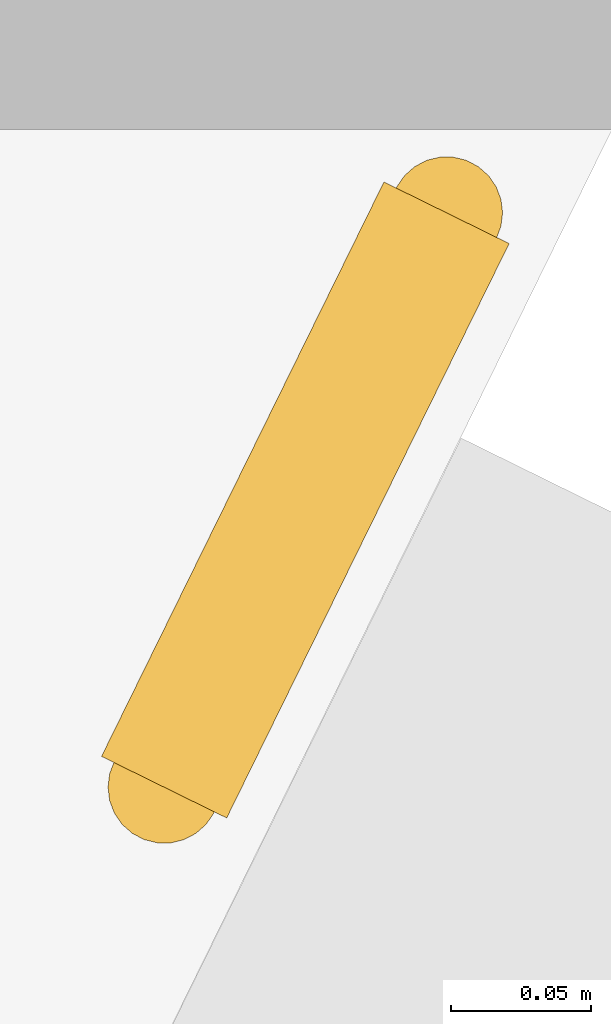
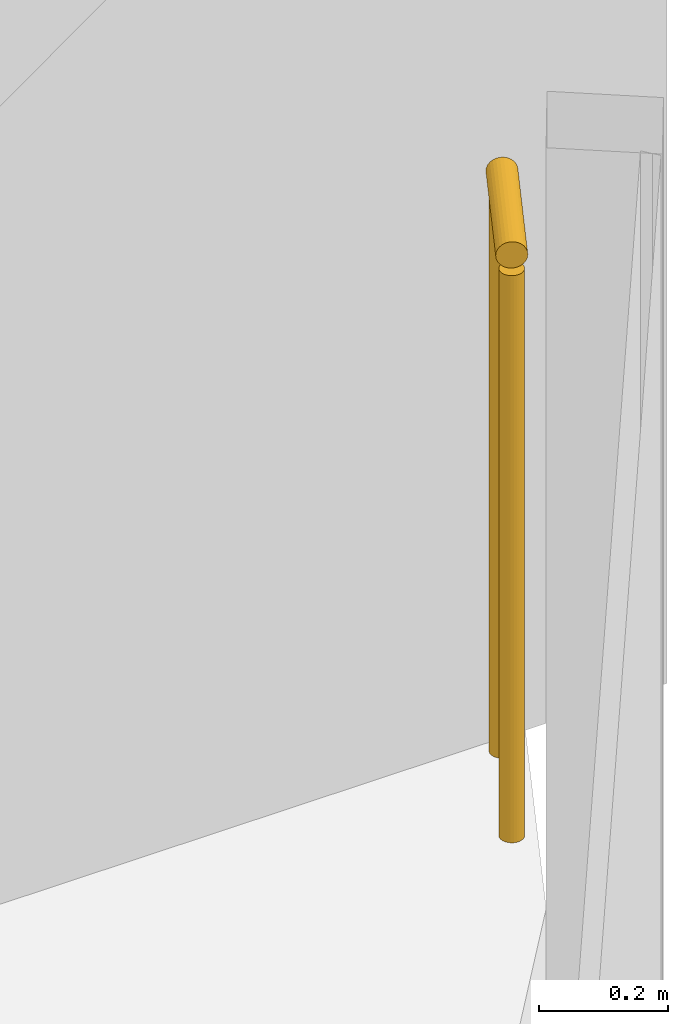
# One storey, part 35 of 38: 1 railing.
"""IFC4 building model written with IfcOpenShell, lengths in metres."""

from ifc_helpers import new_model, si_unit, direction, frame, origin, origin_2d, place, context, subcontext, project, spatial, circle, extrude, material, type_object, element, save


model = new_model("IFC4")

# Units and contexts
model_context = context("Model", 3, precision=1e-05, world=origin(), true_north=direction((0.0, 1.0)))
body_context = subcontext(model_context, "Body", "Model", "MODEL_VIEW")
ifc_project = project(units=[si_unit("LENGTHUNIT", "METRE"), si_unit("AREAUNIT", "SQUARE_METRE"), si_unit("VOLUMEUNIT", "CUBIC_METRE"), si_unit("PLANEANGLEUNIT", "RADIAN"), si_unit("MASSUNIT", "GRAM", prefix="KILO")], contexts=[model_context])

# Site, building, storey
site_placement = place(None, origin())
site = spatial("IfcSite", under=ifc_project, at=site_placement, CompositionType="ELEMENT")
building_placement = place(site_placement, origin())
building = spatial("IfcBuilding", under=site, at=building_placement, Name="Orlundy Tower", CompositionType="ELEMENT")
storey_placement = place(building_placement, frame((0.0, 0.0, 69.300048828125)))
storey = spatial("IfcBuildingStorey", under=building, at=storey_placement, Name="L16", CompositionType="ELEMENT", Elevation=69.300048828125)

# Railing
ifc_material = material(Name="Stainless steel bronze finish", Category="steel")
railing_type = type_object("IfcRailingType", Name="TG1 terrace guard", PredefinedType="GUARDRAIL", material=ifc_material)
railing_placement = place(storey_placement, frame((49.822021484375, -35.700927734375, 0.0)))
element("IfcRailing", 1, at=railing_placement, inside=storey, type_object=railing_type, Name="Guard TG-L16-E00", PredefinedType="GUARDRAIL", context=body_context, shape_type="SweptSolid", body=[
    extrude(circle(Radius=0.02490234375, at=origin_2d()), frame((0.0, 0.0, 1.09521484375), z_axis=(-0.441220934431, -0.897398510707, 0.0), x_axis=(0.897398510707, -0.441220934431, 0.0)), (0.0, 0.0, 1.0), 0.228515625),
    extrude(circle(Radius=0.02001953125, at=origin_2d()), origin(), (0.0, 0.0, 1.0), 1.070068359375),
    extrude(circle(Radius=0.02001953125, at=origin_2d()), frame((-0.100830078125, -0.205078125, 0.0)), (0.0, 0.0, 1.0), 1.070068359375),
])

save(model, "model.ifc")
